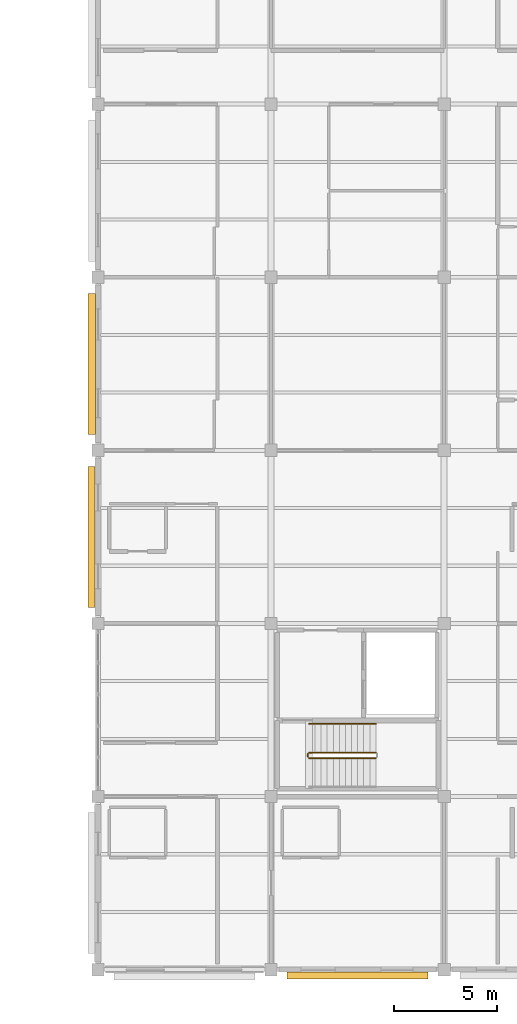
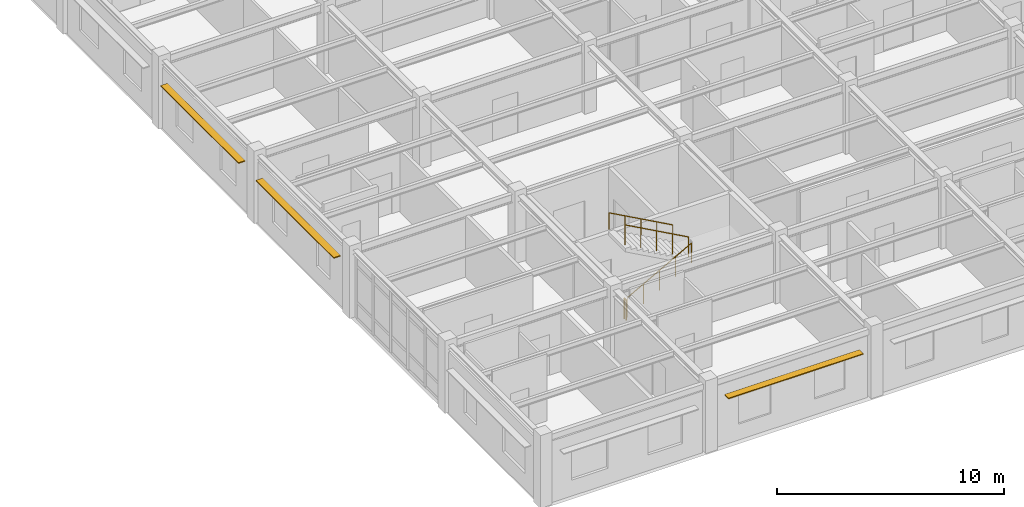
# One storey, part 73 of 86: 4 railings, 3 shading devices.
"""IFC4 building model written with IfcOpenShell, lengths in metres."""

from ifc_helpers import new_model, si_unit, direction, frame, origin, origin_2d, place, context, subcontext, project, spatial, rectangle, circle, extrude, material, material_profile, profile_set, type_object, element, save


model = new_model("IFC4")

# Units and contexts
model_context = context("Model", 3, precision=1e-05, world=origin(), true_north=direction((0.0, 1.0)))
body_context = subcontext(model_context, "Body", "Model", "MODEL_VIEW")
ifc_project = project(units=[si_unit("LENGTHUNIT", "METRE"), si_unit("AREAUNIT", "SQUARE_METRE"), si_unit("VOLUMEUNIT", "CUBIC_METRE"), si_unit("PLANEANGLEUNIT", "RADIAN"), si_unit("MASSUNIT", "GRAM", prefix="KILO")], contexts=[model_context])

# Site, building, storey
site_placement = place(None, origin())
site = spatial("IfcSite", under=ifc_project, at=site_placement, CompositionType="ELEMENT")
building_placement = place(site_placement, origin())
building = spatial("IfcBuilding", under=site, at=building_placement, Name="Bramfleet General Hospital", CompositionType="ELEMENT")
storey_placement = place(building_placement, frame((0.0, 0.0, 18.60009765625)))
storey = spatial("IfcBuildingStorey", under=building, at=storey_placement, Name="L04", CompositionType="ELEMENT", Elevation=18.60009765625)

# Railings
ifc_material_1 = material(Name="Powder-coated steel stair balustrade", Category="steel")
railing_type_1 = type_object("IfcRailingType", Name="RAIL-ST-GUARD", PredefinedType="GUARDRAIL", material=ifc_material_1)
railing_1_placement = place(storey_placement, frame((102.639892578125, 10.27001953125, 0.162353515625)))
element("IfcRailing", 1, at=railing_1_placement, inside=storey, type_object=railing_type_1, Name="L04 ST-C3 stair guard 1", PredefinedType="GUARDRAIL", context=body_context, shape_type="SweptSolid", body=[
    extrude(circle(Radius=0.02392578125, at=origin_2d()), frame((0.0, 0.0, 1.076171875), z_axis=(0.875898504189, 0.0, 0.482495399314), x_axis=(0.0, 1.0, 0.0)), (0.0, 0.0, 1.0), 3.704833984375),
    extrude(circle(Radius=0.02099609375, at=origin_2d()), origin(), (0.0, 0.0, 1.0), 1.052001953125),
    extrude(circle(Radius=0.02099609375, at=origin_2d()), frame((0.811279296875, 0.0, 0.44677734375)), (0.0, 0.0, 1.0), 1.052001953125),
    extrude(circle(Radius=0.02099609375, at=origin_2d()), frame((1.62255859375, 0.0, 0.893798828125)), (0.0, 0.0, 1.0), 1.052001953125),
    extrude(circle(Radius=0.02099609375, at=origin_2d()), frame((2.433837890625, 0.0, 1.3408203125)), (0.0, 0.0, 1.0), 1.052001953125),
    extrude(circle(Radius=0.02099609375, at=origin_2d()), frame((3.2451171875, 0.0, 1.78759765625)), (0.0, 0.0, 1.0), 1.052001953125),
])
railing_2_placement = place(storey_placement, frame((105.885009765625, 10.530029296875, 2.1123046875)))
element("IfcRailing", 2, at=railing_2_placement, inside=storey, type_object=railing_type_1, Name="L04 ST-C3 stair guard 3", PredefinedType="GUARDRAIL", context=body_context, shape_type="SweptSolid", body=[
    extrude(circle(Radius=0.02392578125, at=origin_2d()), frame((0.0, 0.0, 1.076171875), z_axis=(-0.875898504189, 0.0, 0.482495399314), x_axis=(0.0, -1.0, 0.0)), (0.0, 0.0, 1.0), 3.704833984375),
    extrude(circle(Radius=0.02099609375, at=origin_2d()), origin(), (0.0, 0.0, 1.0), 1.052001953125),
    extrude(circle(Radius=0.02099609375, at=origin_2d()), frame((-0.811279296875, 0.0, 0.44677734375)), (0.0, 0.0, 1.0), 1.052001953125),
    extrude(circle(Radius=0.02099609375, at=origin_2d()), frame((-1.62255859375, 0.0, 0.893798828125)), (0.0, 0.0, 1.0), 1.052001953125),
    extrude(circle(Radius=0.02099609375, at=origin_2d()), frame((-2.433837890625, 0.0, 1.3408203125)), (0.0, 0.0, 1.0), 1.052001953125),
    extrude(circle(Radius=0.02099609375, at=origin_2d()), frame((-3.2451171875, 0.0, 1.78759765625)), (0.0, 0.0, 1.0), 1.052001953125),
])
railing_3_placement = place(storey_placement, frame((102.590087890625, 10.320068359375, 0.0)))
element("IfcRailing", 3, at=railing_3_placement, inside=storey, type_object=railing_type_1, Name="L04 ST-C3 stair guard 4", PredefinedType="GUARDRAIL", context=body_context, shape_type="SweptSolid", body=[
    extrude(circle(Radius=0.02392578125, at=origin_2d()), frame((0.0, 0.0, 1.076171875), z_axis=(0.0, 1.0, 0.0), x_axis=(-1.0, 0.0, 0.0)), (0.0, 0.0, 1.0), 0.159912109375),
    extrude(circle(Radius=0.02099609375, at=origin_2d()), origin(), (0.0, 0.0, 1.0), 1.052001953125),
    extrude(circle(Radius=0.02099609375, at=origin_2d()), frame((0.0, 0.159912109375, 0.0)), (0.0, 0.0, 1.0), 1.052001953125),
])
ifc_material_2 = material(Name="Stainless steel 1.4301 stair handrail", Category="steel")
railing_type_2 = type_object("IfcRailingType", Name="RAIL-ST-HND", PredefinedType="HANDRAIL", material=ifc_material_2)
railing_4_placement = place(storey_placement, frame((105.885009765625, 11.929931640625, 2.1123046875)))
element("IfcRailing", 4, at=railing_4_placement, inside=storey, type_object=railing_type_2, Name="L04 ST-C3 stair handrail 2", PredefinedType="HANDRAIL", context=body_context, shape_type="SweptSolid", body=[
    extrude(circle(Radius=0.02392578125, at=origin_2d()), frame((0.0, 0.0, 0.8759765625), z_axis=(-0.875898504189, 0.0, 0.482495399314), x_axis=(0.0, -1.0, 0.0)), (0.0, 0.0, 1.0), 3.704833984375),
    extrude(circle(Radius=0.02099609375, at=origin_2d()), origin(), (0.0, 0.0, 1.0), 0.851806640625),
    extrude(circle(Radius=0.02099609375, at=origin_2d()), frame((-0.811279296875, 0.0, 0.44677734375)), (0.0, 0.0, 1.0), 0.851806640625),
    extrude(circle(Radius=0.02099609375, at=origin_2d()), frame((-1.62255859375, 0.0, 0.893798828125)), (0.0, 0.0, 1.0), 0.851806640625),
    extrude(circle(Radius=0.02099609375, at=origin_2d()), frame((-2.433837890625, 0.0, 1.3408203125)), (0.0, 0.0, 1.0), 0.851806640625),
    extrude(circle(Radius=0.02099609375, at=origin_2d()), frame((-3.2451171875, 0.0, 1.78759765625)), (0.0, 0.0, 1.0), 0.851806640625),
])

# Shading devices
ifc_material_3 = material(Name="Anodised aluminium EN AW-6063", Category="aluminium")
ifc_material_profile = material_profile(ifc_material_3, rectangle(XDim=0.050048828125, YDim=0.35009765625, at=origin_2d()), Name="ALU LOUVRE 350x50")
ifc_profile_set = profile_set([ifc_material_profile], Name="Anodised aluminium EN AW-6063")
shading_device_type = type_object("IfcShadingDeviceType", Name="SHD-LVR-350", PredefinedType="USERDEFINED", material=ifc_profile_set)
for number, where, z_axis, x_axis, name in (
    (5, (108.425048828125, -0.277587890625, 2.669921875), (-1.0, 0.0, 0.0), (0.0, 0.0, 1.0), "L04 Solar Shading Louvre 28"),
    (6, (92.092529296875, 17.574951171875, 2.669921875), (0.0, 1.0, 0.0), (0.0, 0.0, 1.0), "L04 Solar Shading Louvre 31"),
):
    element("IfcShadingDevice", number, at=place(storey_placement, frame(where, z_axis=z_axis, x_axis=x_axis)), inside=storey, type_object=shading_device_type, Name=name, ObjectType="Louvre", PredefinedType="USERDEFINED", context=body_context, shape_type="SweptSolid", body=[
        extrude(rectangle(XDim=0.050048828125, YDim=0.35009765625, at=origin_2d()), origin(), (0.0, 0.0, 1.0), 6.85009765625),
    ])
shading_device_placement = place(storey_placement, frame((92.10009765625, 25.97509765625, 2.669921875), z_axis=(0.0, 1.0, 0.0), x_axis=(0.0, 0.0, 1.0)))
element("IfcShadingDevice", 7, at=shading_device_placement, inside=storey, type_object=shading_device_type, Name="L04 Solar Shading Louvre 32", ObjectType="Louvre", PredefinedType="USERDEFINED", context=body_context, shape_type="SweptSolid", body=[
    extrude(rectangle(XDim=0.050048828125, YDim=0.35009765625, at=origin_2d()), origin(), (0.0, 0.0, 1.0), 6.849853515625),
])

save(model, "model.ifc")
